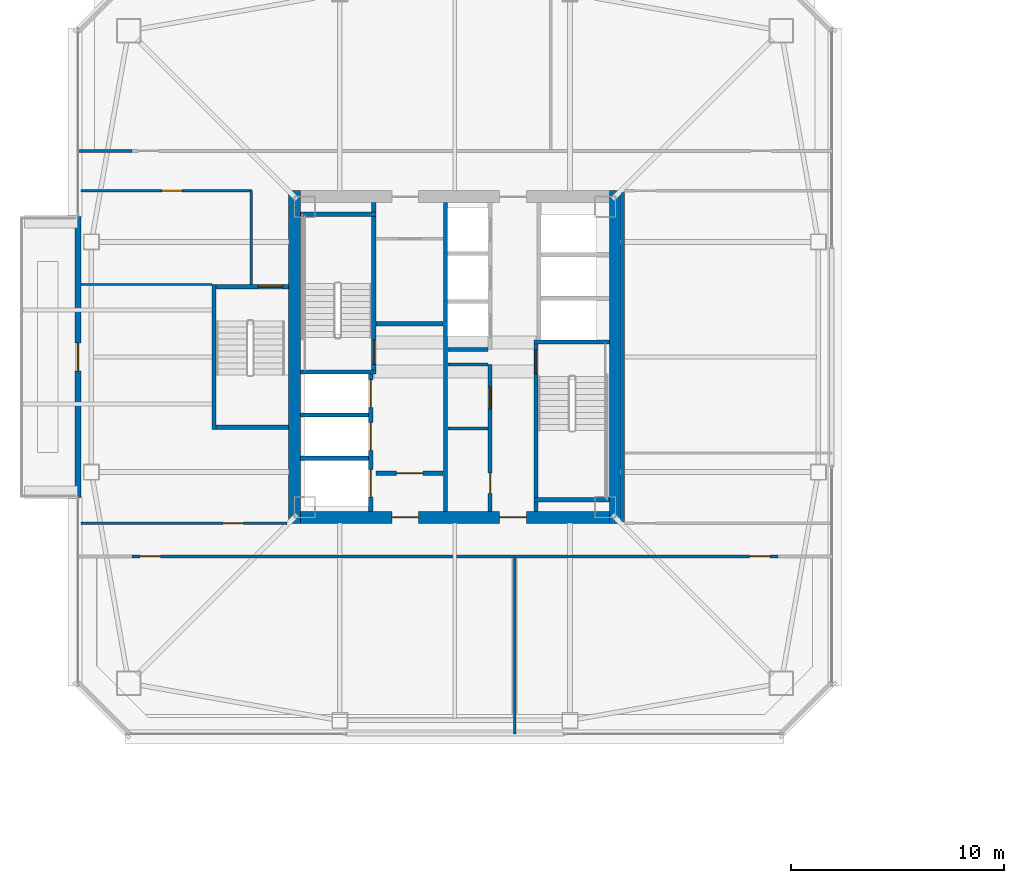
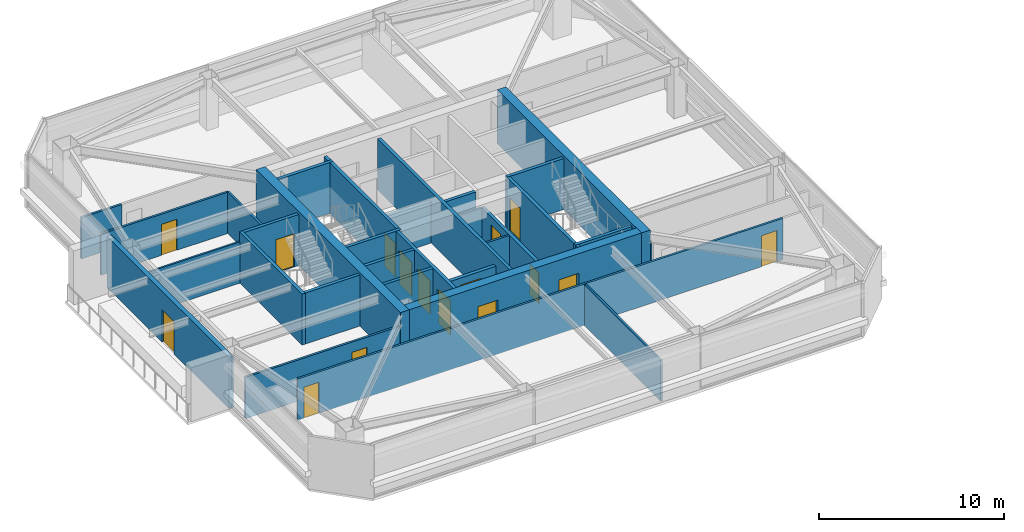
# One storey, part 31 of 41: 31 walls, 16 doors, 16 openings.
"""IFC4 building model written with IfcOpenShell, lengths in metres."""

from ifc_helpers import new_model, si_unit, direction, frame, frame_2d, origin, place, context, subcontext, project, spatial, rectangle, extrude, material, layer, layer_set, type_object, element, fill, save


model = new_model("IFC4")

# Units and contexts
model_context = context("Model", 3, precision=1e-05, world=origin(), true_north=direction((0.0, 1.0)))
body_context = subcontext(model_context, "Body", "Model", "MODEL_VIEW")
ifc_project = project(units=[si_unit("LENGTHUNIT", "METRE"), si_unit("AREAUNIT", "SQUARE_METRE"), si_unit("VOLUMEUNIT", "CUBIC_METRE"), si_unit("PLANEANGLEUNIT", "RADIAN"), si_unit("MASSUNIT", "GRAM", prefix="KILO")], contexts=[model_context])

# Site, building, storey
site_placement = place(None, origin())
site = spatial("IfcSite", under=ifc_project, at=site_placement, CompositionType="ELEMENT")
building_placement = place(site_placement, origin())
building = spatial("IfcBuilding", under=site, at=building_placement, Name="Tashvorn Skyway Center", CompositionType="ELEMENT")
storey_placement = place(building_placement, frame((0.0, 0.0, 192.5)))
storey = spatial("IfcBuildingStorey", under=building, at=storey_placement, Name="L52", CompositionType="ELEMENT", Elevation=192.5)

# Walls
ifc_material_1 = material(Name="Concrete C60/75", Category="concrete")
ifc_layer_1 = layer(ifc_material_1, 0.550048828125)
ifc_layer_set_1 = layer_set([ifc_layer_1], Name="Concrete C60/75")
wall_type_1 = type_object("IfcWallType", Name="WALL-CORE-550", PredefinedType="SHEAR", material=ifc_layer_set_1)
for number, where, z_axis, x_axis, name in (
    (1, (34.47509765625, 24.199951171875, 0.0), (0.0, 0.0, 1.0), (0.0, 1.0, 0.0), "Tower 1 L52 West Core Shear Wall"),
    (2, (49.52490234375, 39.800048828125, 0.0), (0.0, 0.0, 1.0), (0.0, -1.0, 0.0), "Tower 1 L52 East Core Shear Wall"),
):
    element("IfcWall", number, at=place(storey_placement, frame(where, z_axis=z_axis, x_axis=x_axis)), inside=storey, type_object=wall_type_1, Name=name, PredefinedType="SHEAR", context=body_context, shape_type="SweptSolid", body=[
        extrude(rectangle(XDim=15.60009765625, YDim=0.550048828125, at=frame_2d((7.800048828125, 0.0))), origin(), (0.0, 0.0, 1.0), 3.550048828125),
    ])

# Wall, openings, doors
wall_1_placement = place(storey_placement, frame((49.25, 24.47509765625, 0.0), z_axis=(0.0, 0.0, 1.0), x_axis=(-1.0, 0.0, 0.0)))
wall_1 = element("IfcWall", 3, at=wall_1_placement, inside=storey, type_object=wall_type_1, Name="Tower 1 L52 South Core Shear Wall", PredefinedType="SHEAR", context=body_context, shape_type="SweptSolid", body=[
    extrude(rectangle(XDim=14.5, YDim=0.550048828125, at=frame_2d((7.25, 0.0))), origin(), (0.0, 0.0, 1.0), 3.550048828125),
])
opening_1_placement = place(wall_1_placement, frame((8.949951171875, 0.0, 0.0)))
opening_1 = element("IfcOpeningElement", 4, at=opening_1_placement, cuts=wall_1, Name="Opening D-FFL-1250", PredefinedType="OPENING", context=body_context, shape_type="SweptSolid", body=[
    extrude(rectangle(XDim=1.25, YDim=2.25, at=frame_2d((0.625, 1.125))), frame((0.0, 0.284912109375, 0.0), z_axis=(0.0, -1.0, 0.0), x_axis=(1.0, 0.0, 0.0)), (0.0, 0.0, 1.0), 0.570068359375),
])
opening_2_placement = place(wall_1_placement, frame((3.89990234375, 0.0, 0.0)))
opening_2 = element("IfcOpeningElement", 5, at=opening_2_placement, cuts=wall_1, Name="Opening D-FFL-1250", PredefinedType="OPENING", context=body_context, shape_type="SweptSolid", body=[
    extrude(rectangle(XDim=1.25, YDim=2.25, at=frame_2d((0.625, 1.125))), frame((0.0, 0.284912109375, 0.0), z_axis=(0.0, -1.0, 0.0), x_axis=(1.0, 0.0, 0.0)), (0.0, 0.0, 1.0), 0.570068359375),
])
ifc_material_2 = material(Name="Hollow galvanized steel fire door assembly", Category="steel")
door_type_1 = type_object("IfcDoorType", Name="DOOR-FFL-1250", OperationType="NOTDEFINED", PredefinedType="DOOR", material=ifc_material_2)
door_1_placement = place(opening_1_placement, origin())
door_1 = element("IfcDoor", 6, at=door_1_placement, inside=storey, type_object=door_type_1, Name="Tower 1 L52 Core South Firefighting Exit Door", OperationType="SINGLE_SWING_LEFT", OverallHeight=2.25, OverallWidth=1.25, PredefinedType="DOOR", context=body_context, shape_type="SweptSolid", body=[
    extrude(rectangle(XDim=1.25, YDim=2.25, at=frame_2d((0.625, 1.125))), frame((0.0, 0.02490234375, 0.0), z_axis=(0.0, -1.0, 0.0), x_axis=(1.0, 0.0, 0.0)), (0.0, 0.0, 1.0), 0.050048828125),
])
fill(opening_1, door_1)
door_2_placement = place(opening_2_placement, origin())
door_2 = element("IfcDoor", 7, at=door_2_placement, inside=storey, type_object=door_type_1, Name="Tower 1 L52 Core South Lift Lobby Door", OperationType="SINGLE_SWING_RIGHT", OverallHeight=2.25, OverallWidth=1.25, PredefinedType="DOOR", context=body_context, shape_type="SweptSolid", body=[
    extrude(rectangle(XDim=1.25, YDim=2.25, at=frame_2d((0.625, 1.125))), frame((0.0, 0.02490234375, 0.0), z_axis=(0.0, -1.0, 0.0), x_axis=(1.0, 0.0, 0.0)), (0.0, 0.0, 1.0), 0.050048828125),
])
fill(opening_2, door_2)

# Wall, opening, door
ifc_material_3 = material(Name="Precast concrete C40/50", Category="concrete")
ifc_layer_2 = layer(ifc_material_3, 0.280029296875)
ifc_layer_set_2 = layer_set([ifc_layer_2], Name="Precast concrete C40/50")
wall_type_2 = type_object("IfcWallType", Name="WALL-EXT-280", PredefinedType="SOLIDWALL", material=ifc_layer_set_2)
wall_2_placement = place(storey_placement, frame((24.320068359375, 25.39990234375, 0.0), z_axis=(0.0, 0.0, 1.0), x_axis=(0.0, 1.0, 0.0)))
wall_2 = element("IfcWall", 8, at=wall_2_placement, inside=storey, type_object=wall_type_2, Name="Tower 1 L52 West Sky Garden Loggia Wall", PredefinedType="SOLIDWALL", context=body_context, shape_type="SweptSolid", body=[
    extrude(rectangle(XDim=13.2001953125, YDim=0.280029296875, at=frame_2d((6.60009765625, 0.0))), origin(), (0.0, 0.0, 1.0), 3.3701171875),
])
opening_3_placement = place(wall_2_placement, frame((5.949951171875, 0.0, 0.0)))
opening_3 = element("IfcOpeningElement", 9, at=opening_3_placement, cuts=wall_2, Name="Opening D-TER-1300", PredefinedType="OPENING", context=body_context, shape_type="SweptSolid", body=[
    extrude(rectangle(XDim=1.300048828125, YDim=2.14990234375, at=frame_2d((0.64990234375, 1.074951171875))), frame((0.0, 0.14990234375, 0.0), z_axis=(0.0, -1.0, 0.0), x_axis=(1.0, 0.0, 0.0)), (0.0, 0.0, 1.0), 0.300048828125),
])
ifc_material_4 = material(Name="Thermally broken bronze-anodized aluminium 6063-T6", Category="aluminium")
door_type_2 = type_object("IfcDoorType", Name="DOOR-TERR-1300", OperationType="NOTDEFINED", PredefinedType="DOOR", material=ifc_material_4)
door_3_placement = place(opening_3_placement, origin())
door_3 = element("IfcDoor", 10, at=door_3_placement, inside=storey, type_object=door_type_2, Name="Tower 1 L52 Sky Garden Access Door", OperationType="SINGLE_SWING_RIGHT", OverallHeight=2.14990234375, OverallWidth=1.300048828125, PredefinedType="DOOR", context=body_context, shape_type="SweptSolid", body=[
    extrude(rectangle(XDim=1.300048828125, YDim=2.14990234375, at=frame_2d((0.64990234375, 1.074951171875))), frame((0.0, 0.02490234375, 0.0), z_axis=(0.0, -1.0, 0.0), x_axis=(1.0, 0.0, 0.0)), (0.0, 0.0, 1.0), 0.050048828125),
])
fill(opening_3, door_3)

# Wall
ifc_material_5 = material(Name="Concrete C40/50", Category="concrete")
ifc_layer_3 = layer(ifc_material_5, 0.219970703125)
ifc_layer_set_3 = layer_set([ifc_layer_3], Name="Concrete C40/50")
wall_type_3 = type_object("IfcWallType", Name="WALL-FFL-220", PredefinedType="SOLIDWALL", material=ifc_layer_set_3)
wall_3_placement = place(storey_placement, frame((38.300048828125, 33.56005859375, 0.0), z_axis=(0.0, 0.0, 1.0), x_axis=(1.0, 0.0, 0.0)))
element("IfcWall", 11, at=wall_3_placement, inside=storey, type_object=wall_type_3, Name="Tower 1 L52 Firefighting Lobby North Wall", PredefinedType="SOLIDWALL", context=body_context, shape_type="SweptSolid", body=[
    extrude(rectangle(XDim=3.14990234375, YDim=0.219970703125, at=frame_2d((1.574951171875, 0.0))), origin(), (0.0, 0.0, 1.0), 2.722900390625),
])

# Wall, opening, door
wall_4_placement = place(storey_placement, frame((38.300048828125, 26.5400390625, 0.0), z_axis=(0.0, 0.0, 1.0), x_axis=(1.0, 0.0, 0.0)))
wall_4 = element("IfcWall", 12, at=wall_4_placement, inside=storey, type_object=wall_type_3, Name="Tower 1 L52 Firefighting Lobby South Wall", PredefinedType="SOLIDWALL", context=body_context, shape_type="SweptSolid", body=[
    extrude(rectangle(XDim=3.14990234375, YDim=0.219970703125, at=frame_2d((1.574951171875, 0.0))), origin(), (0.0, 0.0, 1.0), 2.722900390625),
])
opening_4_placement = place(wall_4_placement, frame((0.949951171875, 0.0, 0.0)))
opening_4 = element("IfcOpeningElement", 13, at=opening_4_placement, cuts=wall_4, Name="Opening D-FFL-1250", PredefinedType="OPENING", context=body_context, shape_type="SweptSolid", body=[
    extrude(rectangle(XDim=1.25, YDim=2.25, at=frame_2d((0.625, 1.125))), frame((0.0, 0.119873046875, 0.0), z_axis=(0.0, -1.0, 0.0), x_axis=(1.0, 0.0, 0.0)), (0.0, 0.0, 1.0), 0.239990234375),
])
door_4_placement = place(opening_4_placement, origin())
door_4 = element("IfcDoor", 14, at=door_4_placement, inside=storey, type_object=door_type_1, Name="Tower 1 L52 Firefighting Lobby Egress Door", OperationType="SINGLE_SWING_LEFT", OverallHeight=2.25, OverallWidth=1.25, PredefinedType="DOOR", context=body_context, shape_type="SweptSolid", body=[
    extrude(rectangle(XDim=1.25, YDim=2.25, at=frame_2d((0.625, 1.125))), frame((0.0, 0.02490234375, 0.0), z_axis=(0.0, -1.0, 0.0), x_axis=(1.0, 0.0, 0.0)), (0.0, 0.0, 1.0), 0.050048828125),
])
fill(opening_4, door_4)

# Walls
ifc_material_6 = material(Name="Gypsum board on cold-formed steel stud framing", Category="steel")
ifc_layer_4 = layer(ifc_material_6, 0.110107421875)
ifc_layer_set_4 = layer_set([ifc_layer_4], Name="Gypsum board on cold-formed steel stud framing")
wall_type_4 = type_object("IfcWallType", Name="WALL-PART-110", PredefinedType="PARTITIONING", material=ifc_layer_set_4)
wall_5_placement = place(storey_placement, frame((44.800048828125, 14.320068359375, 0.0), z_axis=(0.0, 0.0, 1.0), x_axis=(0.0, 1.0, 0.0)))
element("IfcWall", 15, at=wall_5_placement, inside=storey, type_object=wall_type_4, Name="Tower 1 L52 South Suite Partition 1", PredefinedType="PARTITIONING", context=body_context, shape_type="SweptSolid", body=[
    extrude(rectangle(XDim=8.25, YDim=0.110107421875, at=frame_2d((4.125, 0.0))), origin(), (0.0, 0.0, 1.0), 2.722900390625),
])
wall_6_placement = place(storey_placement, frame((30.60009765625, 35.39990234375, 0.0), z_axis=(0.0, 0.0, 1.0), x_axis=(-1.0, 0.0, 0.0)))
element("IfcWall", 16, at=wall_6_placement, inside=storey, type_object=wall_type_4, Name="Tower 1 L52 West Suite Partition 1", PredefinedType="PARTITIONING", context=body_context, shape_type="SweptSolid", body=[
    extrude(rectangle(XDim=6.130126953125, YDim=0.110107421875, at=frame_2d((3.06494140625, 0.0))), origin(), (0.0, 0.0, 1.0), 2.722900390625),
])
ifc_layer_5 = layer(ifc_material_6, 0.135009765625)
ifc_layer_set_5 = layer_set([ifc_layer_5], Name="Gypsum board on cold-formed steel stud framing")
wall_type_5 = type_object("IfcWallType", Name="WALL-PART-135", PredefinedType="PARTITIONING", material=ifc_layer_set_5)
wall_7_placement = place(storey_placement, frame((32.449951171875, 35.39990234375, 0.0), z_axis=(0.0, 0.0, 1.0), x_axis=(0.0, 1.0, 0.0)))
element("IfcWall", 17, at=wall_7_placement, inside=storey, type_object=wall_type_5, Name="Tower 1 L52 Stair 3 Access Corridor Wall", PredefinedType="PARTITIONING", context=body_context, shape_type="SweptSolid", body=[
    extrude(rectangle(XDim=4.400146484375, YDim=0.135009765625, at=frame_2d((2.2001953125, 0.0))), origin(), (0.0, 0.0, 1.0), 2.722900390625),
])
wall_8_placement = place(storey_placement, frame((24.320068359375, 41.669921875, 0.0), z_axis=(0.0, 0.0, 1.0), x_axis=(1.0, 0.0, 0.0)))
element("IfcWall", 18, at=wall_8_placement, inside=storey, type_object=wall_type_5, Name="Tower 1 L52 North-West Suite South Wall", PredefinedType="PARTITIONING", context=body_context, shape_type="SweptSolid", body=[
    extrude(rectangle(XDim=2.530029296875, YDim=0.135009765625, at=frame_2d((1.26513671875, 0.0))), origin(), (0.0, 0.0, 1.0), 2.722900390625),
])

# Wall, openings, doors
wall_9_placement = place(storey_placement, frame((57.14990234375, 22.64990234375, 0.0), z_axis=(0.0, 0.0, 1.0), x_axis=(-1.0, 0.0, 0.0)))
wall_9 = element("IfcWall", 19, at=wall_9_placement, inside=storey, type_object=wall_type_5, Name="Tower 1 L52 South Suite Wall", PredefinedType="PARTITIONING", context=body_context, shape_type="SweptSolid", body=[
    extrude(rectangle(XDim=30.2998046875, YDim=0.135009765625, at=frame_2d((15.14990234375, 0.0))), origin(), (0.0, 0.0, 1.0), 2.722900390625),
])
opening_5_placement = place(wall_9_placement, frame((28.969970703125, 0.0, 0.0)))
opening_5 = element("IfcOpeningElement", 20, at=opening_5_placement, cuts=wall_9, Name="Opening D-INT-950", PredefinedType="OPENING", context=body_context, shape_type="SweptSolid", body=[
    extrude(rectangle(XDim=0.949951171875, YDim=2.050048828125, at=frame_2d((0.47509765625, 1.02490234375))), frame((0.0, 0.077392578125, 0.0), z_axis=(0.0, -1.0, 0.0), x_axis=(1.0, 0.0, 0.0)), (0.0, 0.0, 1.0), 0.155029296875),
])
opening_6_placement = place(wall_9_placement, frame((0.3798828125, 0.0, 0.0)))
opening_6 = element("IfcOpeningElement", 21, at=opening_6_placement, cuts=wall_9, Name="Opening D-INT-950", PredefinedType="OPENING", context=body_context, shape_type="SweptSolid", body=[
    extrude(rectangle(XDim=0.949951171875, YDim=2.050048828125, at=frame_2d((0.47509765625, 1.02490234375))), frame((0.0, 0.077392578125, 0.0), z_axis=(0.0, -1.0, 0.0), x_axis=(1.0, 0.0, 0.0)), (0.0, 0.0, 1.0), 0.155029296875),
])
ifc_material_7 = material(Name="Solid-core architectural oak veneer door")
door_type_3 = type_object("IfcDoorType", Name="DOOR-INT-950", OperationType="NOTDEFINED", PredefinedType="DOOR", material=ifc_material_7)
door_5_placement = place(opening_5_placement, origin())
door_5 = element("IfcDoor", 22, at=door_5_placement, inside=storey, type_object=door_type_3, Name="Tower 1 L52 Wellness Clinic Door", OperationType="SINGLE_SWING_LEFT", OverallHeight=2.050048828125, OverallWidth=0.949951171875, PredefinedType="DOOR", context=body_context, shape_type="SweptSolid", body=[
    extrude(rectangle(XDim=0.949951171875, YDim=2.050048828125, at=frame_2d((0.47509765625, 1.02490234375))), frame((0.0, 0.02490234375, 0.0), z_axis=(0.0, -1.0, 0.0), x_axis=(1.0, 0.0, 0.0)), (0.0, 0.0, 1.0), 0.050048828125),
])
fill(opening_5, door_5)
door_6_placement = place(opening_6_placement, origin())
door_6 = element("IfcDoor", 23, at=door_6_placement, inside=storey, type_object=door_type_3, Name="Tower 1 L52 Reading Lounge Door", OperationType="SINGLE_SWING_RIGHT", OverallHeight=2.050048828125, OverallWidth=0.949951171875, PredefinedType="DOOR", context=body_context, shape_type="SweptSolid", body=[
    extrude(rectangle(XDim=0.949951171875, YDim=2.050048828125, at=frame_2d((0.47509765625, 1.02490234375))), frame((0.0, 0.02490234375, 0.0), z_axis=(0.0, -1.0, 0.0), x_axis=(1.0, 0.0, 0.0)), (0.0, 0.0, 1.0), 0.050048828125),
])
fill(opening_6, door_6)

# Wall
wall_10_placement = place(storey_placement, frame((49.8798828125, 39.719970703125, 0.0), z_axis=(0.0, 0.0, 1.0), x_axis=(0.0, -1.0, 0.0)))
element("IfcWall", 24, at=wall_10_placement, inside=storey, type_object=wall_type_5, Name="Tower 1 L52 East Inner Suite Wall", PredefinedType="PARTITIONING", context=body_context, shape_type="SweptSolid", body=[
    extrude(rectangle(XDim=15.43994140625, YDim=0.135009765625, at=frame_2d((7.719970703125, 0.0))), origin(), (0.0, 0.0, 1.0), 2.722900390625),
])

# Wall, opening, door
wall_11_placement = place(storey_placement, frame((32.449951171875, 39.800048828125, 0.0), z_axis=(0.0, 0.0, 1.0), x_axis=(-1.0, 0.0, 0.0)))
wall_11 = element("IfcWall", 25, at=wall_11_placement, inside=storey, type_object=wall_type_5, Name="Tower 1 L52 West Suite North Wall", PredefinedType="PARTITIONING", context=body_context, shape_type="SweptSolid", body=[
    extrude(rectangle(XDim=7.97998046875, YDim=0.135009765625, at=frame_2d((3.989990234375, 0.0))), origin(), (0.0, 0.0, 1.0), 2.722900390625),
])
opening_7_placement = place(wall_11_placement, frame((3.239990234375, 0.0, 0.0)))
opening_7 = element("IfcOpeningElement", 26, at=opening_7_placement, cuts=wall_11, Name="Opening D-INT-950", PredefinedType="OPENING", context=body_context, shape_type="SweptSolid", body=[
    extrude(rectangle(XDim=0.949951171875, YDim=2.050048828125, at=frame_2d((0.47509765625, 1.02490234375))), frame((0.0, 0.077392578125, 0.0), z_axis=(0.0, -1.0, 0.0), x_axis=(1.0, 0.0, 0.0)), (0.0, 0.0, 1.0), 0.155029296875),
])
door_7_placement = place(opening_7_placement, origin())
door_7 = element("IfcDoor", 27, at=door_7_placement, inside=storey, type_object=door_type_3, Name="Tower 1 L52 Corporate Office Door", OperationType="SINGLE_SWING_LEFT", OverallHeight=2.050048828125, OverallWidth=0.949951171875, PredefinedType="DOOR", context=body_context, shape_type="SweptSolid", body=[
    extrude(rectangle(XDim=0.949951171875, YDim=2.050048828125, at=frame_2d((0.47509765625, 1.02490234375))), frame((0.0, 0.02490234375, 0.0), z_axis=(0.0, -1.0, 0.0), x_axis=(1.0, 0.0, 0.0)), (0.0, 0.0, 1.0), 0.050048828125),
])
fill(opening_7, door_7)

wall_12_placement = place(storey_placement, frame((24.469970703125, 24.199951171875, 0.0), z_axis=(0.0, 0.0, 1.0), x_axis=(1.0, 0.0, 0.0)))
wall_12 = element("IfcWall", 28, at=wall_12_placement, inside=storey, type_object=wall_type_5, Name="Tower 1 L52 West Suite South Wall", PredefinedType="PARTITIONING", context=body_context, shape_type="SweptSolid", body=[
    extrude(rectangle(XDim=9.650146484375, YDim=0.135009765625, at=frame_2d((4.8251953125, 0.0))), origin(), (0.0, 0.0, 1.0), 2.722900390625),
])
opening_8_placement = place(wall_12_placement, frame((6.655029296875, 0.0, 0.0)))
opening_8 = element("IfcOpeningElement", 29, at=opening_8_placement, cuts=wall_12, Name="Opening D-INT-950", PredefinedType="OPENING", context=body_context, shape_type="SweptSolid", body=[
    extrude(rectangle(XDim=0.949951171875, YDim=2.050048828125, at=frame_2d((0.47509765625, 1.02490234375))), frame((0.0, 0.077392578125, 0.0), z_axis=(0.0, -1.0, 0.0), x_axis=(1.0, 0.0, 0.0)), (0.0, 0.0, 1.0), 0.155029296875),
])
door_8_placement = place(opening_8_placement, origin())
door_8 = element("IfcDoor", 30, at=door_8_placement, inside=storey, type_object=door_type_3, Name="Tower 1 L52 Public Restroom Door", OperationType="SINGLE_SWING_RIGHT", OverallHeight=2.050048828125, OverallWidth=0.949951171875, PredefinedType="DOOR", context=body_context, shape_type="SweptSolid", body=[
    extrude(rectangle(XDim=0.949951171875, YDim=2.050048828125, at=frame_2d((0.47509765625, 1.02490234375))), frame((0.0, 0.02490234375, 0.0), z_axis=(0.0, -1.0, 0.0), x_axis=(1.0, 0.0, 0.0)), (0.0, 0.0, 1.0), 0.050048828125),
])
fill(opening_8, door_8)

# Walls
ifc_layer_6 = layer(ifc_material_6, 0.135009765625)
ifc_layer_set_6 = layer_set([ifc_layer_6], Name="Gypsum board on cold-formed steel stud framing")
wall_type_6 = type_object("IfcWallType", Name="WALL-RATED-135", PredefinedType="PARTITIONING", material=ifc_layer_set_6)
for number, where, z_axis, x_axis, name in (
    (31, (41.669921875, 31.64990234375, 0.0), (0.0, 0.0, 1.0), (1.0, 0.0, 0.0), "Tower 1 L52 Core Room Partition"),
    (32, (41.669921875, 28.64990234375, 0.0), (0.0, 0.0, 1.0), (1.0, 0.0, 0.0), "Tower 1 L52 Freed Core Partition"),
):
    element("IfcWall", number, at=place(storey_placement, frame(where, z_axis=z_axis, x_axis=x_axis)), inside=storey, type_object=wall_type_6, Name=name, PredefinedType="PARTITIONING", context=body_context, shape_type="SweptSolid", body=[
        extrude(rectangle(XDim=1.880126953125, YDim=0.135009765625, at=frame_2d((0.93994140625, 0.0))), origin(), (0.0, 0.0, 1.0), 2.722900390625),
    ])
ifc_layer_7 = layer(ifc_material_5, 0.199951171875)
ifc_layer_set_7 = layer_set([ifc_layer_7], Name="Concrete C40/50")
wall_type_7 = type_object("IfcWallType", Name="WALL-SHAFT-200", PredefinedType="SOLIDWALL", material=ifc_layer_set_7)
for number, where, z_axis, x_axis, name in (
    (33, (34.75, 27.25, 0.0), (0.0, 0.0, 1.0), (1.0, 0.0, 0.0), "Tower 1 L52 FSAE Shaft Divider"),
    (34, (34.75, 29.280029296875, 0.0), (0.0, 0.0, 1.0), (1.0, 0.0, 0.0), "Tower 1 L52 FSAE Shaft Divider"),
):
    element("IfcWall", number, at=place(storey_placement, frame(where, z_axis=z_axis, x_axis=x_axis)), inside=storey, type_object=wall_type_7, Name=name, PredefinedType="SOLIDWALL", context=body_context, shape_type="SweptSolid", body=[
        extrude(rectangle(XDim=3.199951171875, YDim=0.199951171875, at=frame_2d((1.60009765625, 0.0))), origin(), (0.0, 0.0, 1.0), 3.3701171875),
    ])

# Wall, openings, doors
wall_13_placement = place(storey_placement, frame((43.64990234375, 24.75, 0.0), z_axis=(0.0, 0.0, 1.0), x_axis=(0.0, 1.0, 0.0)))
wall_13 = element("IfcWall", 35, at=wall_13_placement, inside=storey, type_object=wall_type_7, Name="Tower 1 L52 Low-Rise Core Wall", PredefinedType="SOLIDWALL", context=body_context, shape_type="SweptSolid", body=[
    extrude(rectangle(XDim=6.89990234375, YDim=0.199951171875, at=frame_2d((3.449951171875, 0.0))), origin(), (0.0, 0.0, 1.0), 2.722900390625),
])
opening_9_placement = place(wall_13_placement, frame((0.85009765625, 0.0, 0.0)))
opening_9 = element("IfcOpeningElement", 36, at=opening_9_placement, cuts=wall_13, Name="Opening D-RT-950", PredefinedType="OPENING", context=body_context, shape_type="SweptSolid", body=[
    extrude(rectangle(XDim=0.949951171875, YDim=2.050048828125, at=frame_2d((0.47509765625, 1.02490234375))), frame((0.0, 0.10986328125, 0.0), z_axis=(0.0, -1.0, 0.0), x_axis=(1.0, 0.0, 0.0)), (0.0, 0.0, 1.0), 0.219970703125),
])
opening_10_placement = place(wall_13_placement, frame((4.800048828125, 0.0, 0.0)))
opening_10 = element("IfcOpeningElement", 37, at=opening_10_placement, cuts=wall_13, Name="Opening D-RT-1050", PredefinedType="OPENING", context=body_context, shape_type="SweptSolid", body=[
    extrude(rectangle(XDim=1.050048828125, YDim=2.199951171875, at=frame_2d((0.52490234375, 1.10009765625))), frame((0.0, 0.10986328125, 0.0), z_axis=(0.0, -1.0, 0.0), x_axis=(1.0, 0.0, 0.0)), (0.0, 0.0, 1.0), 0.219970703125),
])
door_type_4 = type_object("IfcDoorType", Name="DOOR-RATED-1050", OperationType="NOTDEFINED", PredefinedType="DOOR", material=ifc_material_2)
door_9_placement = place(opening_10_placement, origin())
door_9 = element("IfcDoor", 38, at=door_9_placement, inside=storey, type_object=door_type_4, Name="Tower 1 L52 Freed Core Room Door", OperationType="SINGLE_SWING_RIGHT", OverallHeight=2.199951171875, OverallWidth=1.050048828125, PredefinedType="DOOR", context=body_context, shape_type="SweptSolid", body=[
    extrude(rectangle(XDim=1.050048828125, YDim=2.199951171875, at=frame_2d((0.52490234375, 1.10009765625))), frame((0.0, 0.02490234375, 0.0), z_axis=(0.0, -1.0, 0.0), x_axis=(1.0, 0.0, 0.0)), (0.0, 0.0, 1.0), 0.050048828125),
])
fill(opening_10, door_9)
door_type_5 = type_object("IfcDoorType", Name="DOOR-RATED-950", OperationType="NOTDEFINED", PredefinedType="DOOR", material=ifc_material_2)
door_10_placement = place(opening_9_placement, origin())
door_10 = element("IfcDoor", 39, at=door_10_placement, inside=storey, type_object=door_type_5, Name="Tower 1 L52 Core Print Room Door", OperationType="SINGLE_SWING_LEFT", OverallHeight=2.050048828125, OverallWidth=0.949951171875, PredefinedType="DOOR", context=body_context, shape_type="SweptSolid", body=[
    extrude(rectangle(XDim=0.949951171875, YDim=2.050048828125, at=frame_2d((0.47509765625, 1.02490234375))), frame((0.0, 0.02490234375, 0.0), z_axis=(0.0, -1.0, 0.0), x_axis=(1.0, 0.0, 0.0)), (0.0, 0.0, 1.0), 0.050048828125),
])
fill(opening_9, door_10)

# Wall
wall_14_placement = place(storey_placement, frame((41.669921875, 32.35009765625, 0.0), z_axis=(0.0, 0.0, 1.0), x_axis=(1.0, 0.0, 0.0)))
element("IfcWall", 40, at=wall_14_placement, inside=storey, type_object=wall_type_7, Name="Tower 1 L52 Mid-Rise Shaft Divider", PredefinedType="SOLIDWALL", context=body_context, shape_type="SweptSolid", body=[
    extrude(rectangle(XDim=1.880126953125, YDim=0.199951171875, at=frame_2d((0.93994140625, 0.0))), origin(), (0.0, 0.0, 1.0), 3.3701171875),
])

# Wall, opening, door
ifc_layer_8 = layer(ifc_material_5, 0.199951171875)
ifc_layer_set_8 = layer_set([ifc_layer_8], Name="Concrete C40/50")
wall_type_8 = type_object("IfcWallType", Name="WALL-STSHF-200", PredefinedType="SHEAR", material=ifc_layer_set_8)
wall_15_placement = place(storey_placement, frame((38.199951171875, 31.199951171875, 0.0), z_axis=(0.0, 0.0, 1.0), x_axis=(0.0, 1.0, 0.0)))
wall_15 = element("IfcWall", 41, at=wall_15_placement, inside=storey, type_object=wall_type_8, Name="Tower 1 L52 Stair 1 Enclosure Wall", PredefinedType="SHEAR", context=body_context, shape_type="SweptSolid", body=[
    extrude(rectangle(XDim=8.050048828125, YDim=0.199951171875, at=frame_2d((4.02490234375, 0.0))), origin(), (0.0, 0.0, 1.0), 3.3701171875),
])
opening_11_placement = place(wall_15_placement, frame((0.449951171875, 0.0, 0.0)))
opening_11 = element("IfcOpeningElement", 42, at=opening_11_placement, cuts=wall_15, Name="Opening D-ST-1150", PredefinedType="OPENING", context=body_context, shape_type="SweptSolid", body=[
    extrude(rectangle(XDim=1.14990234375, YDim=2.199951171875, at=frame_2d((0.574951171875, 1.10009765625))), frame((0.0, 0.10986328125, 0.0), z_axis=(0.0, -1.0, 0.0), x_axis=(1.0, 0.0, 0.0)), (0.0, 0.0, 1.0), 0.219970703125),
])
door_type_6 = type_object("IfcDoorType", Name="DOOR-STAIR-1150", OperationType="NOTDEFINED", PredefinedType="DOOR", material=ifc_material_2)
door_11_placement = place(opening_11_placement, origin())
door_11 = element("IfcDoor", 43, at=door_11_placement, inside=storey, type_object=door_type_6, Name="Tower 1 L52 Exit Stair 1 Door", OperationType="SINGLE_SWING_RIGHT", OverallHeight=2.199951171875, OverallWidth=1.14990234375, PredefinedType="DOOR", context=body_context, shape_type="SweptSolid", body=[
    extrude(rectangle(XDim=1.14990234375, YDim=2.199951171875, at=frame_2d((0.574951171875, 1.10009765625))), frame((0.0, 0.02490234375, 0.0), z_axis=(0.0, -1.0, 0.0), x_axis=(1.0, 0.0, 0.0)), (0.0, 0.0, 1.0), 0.050048828125),
])
fill(opening_11, door_11)

# Walls
for number, where, z_axis, x_axis, name in (
    (44, (34.75, 31.300048828125, 0.0), (0.0, 0.0, 1.0), (1.0, 0.0, 0.0), "Tower 1 L52 Stair 1 South Wall"),
    (45, (34.75, 38.699951171875, 0.0), (0.0, 0.0, 1.0), (1.0, 0.0, 0.0), "Tower 1 L52 Stair 1 North Wall"),
):
    element("IfcWall", number, at=place(storey_placement, frame(where, z_axis=z_axis, x_axis=x_axis)), inside=storey, type_object=wall_type_8, Name=name, PredefinedType="SHEAR", context=body_context, shape_type="SweptSolid", body=[
        extrude(rectangle(XDim=3.550048828125, YDim=0.199951171875, at=frame_2d((1.77490234375, 0.0))), origin(), (0.0, 0.0, 1.0), 3.3701171875),
    ])

# Wall, opening, door
wall_16_placement = place(storey_placement, frame((45.800048828125, 32.800048828125, 0.0), z_axis=(0.0, 0.0, 1.0), x_axis=(0.0, -1.0, 0.0)))
wall_16 = element("IfcWall", 46, at=wall_16_placement, inside=storey, type_object=wall_type_8, Name="Tower 1 L52 Stair 2 Enclosure Wall", PredefinedType="SHEAR", context=body_context, shape_type="SweptSolid", body=[
    extrude(rectangle(XDim=8.050048828125, YDim=0.199951171875, at=frame_2d((4.02490234375, 0.0))), origin(), (0.0, 0.0, 1.0), 3.3701171875),
])
opening_12_placement = place(wall_16_placement, frame((0.449951171875, 0.0, 0.0)))
opening_12 = element("IfcOpeningElement", 47, at=opening_12_placement, cuts=wall_16, Name="Opening D-ST-1150", PredefinedType="OPENING", context=body_context, shape_type="SweptSolid", body=[
    extrude(rectangle(XDim=1.14990234375, YDim=2.199951171875, at=frame_2d((0.574951171875, 1.10009765625))), frame((0.0, 0.10986328125, 0.0), z_axis=(0.0, -1.0, 0.0), x_axis=(1.0, 0.0, 0.0)), (0.0, 0.0, 1.0), 0.219970703125),
])
door_12_placement = place(opening_12_placement, origin())
door_12 = element("IfcDoor", 48, at=door_12_placement, inside=storey, type_object=door_type_6, Name="Tower 1 L52 Exit Stair 2 Door", OperationType="SINGLE_SWING_RIGHT", OverallHeight=2.199951171875, OverallWidth=1.14990234375, PredefinedType="DOOR", context=body_context, shape_type="SweptSolid", body=[
    extrude(rectangle(XDim=1.14990234375, YDim=2.199951171875, at=frame_2d((0.574951171875, 1.10009765625))), frame((0.0, 0.02490234375, 0.0), z_axis=(0.0, -1.0, 0.0), x_axis=(1.0, 0.0, 0.0)), (0.0, 0.0, 1.0), 0.050048828125),
])
fill(opening_12, door_12)

# Walls
for number, where, z_axis, x_axis, name in (
    (49, (45.699951171875, 32.699951171875, 0.0), (0.0, 0.0, 1.0), (1.0, 0.0, 0.0), "Tower 1 L52 Stair 2 North Wall"),
    (50, (45.699951171875, 25.300048828125, 0.0), (0.0, 0.0, 1.0), (1.0, 0.0, 0.0), "Tower 1 L52 Stair 2 South Wall"),
):
    element("IfcWall", number, at=place(storey_placement, frame(where, z_axis=z_axis, x_axis=x_axis)), inside=storey, type_object=wall_type_8, Name=name, PredefinedType="SHEAR", context=body_context, shape_type="SweptSolid", body=[
        extrude(rectangle(XDim=3.550048828125, YDim=0.199951171875, at=frame_2d((1.77490234375, 0.0))), origin(), (0.0, 0.0, 1.0), 3.3701171875),
    ])
wall_17_placement = place(storey_placement, frame((41.56005859375, 24.75, 0.0), z_axis=(0.0, 0.0, 1.0), x_axis=(0.0, 1.0, 0.0)))
element("IfcWall", 51, at=wall_17_placement, inside=storey, type_object=wall_type_8, Name="Tower 1 L52 Firefighting Lobby East Smoke Barrier", PredefinedType="SHEAR", context=body_context, shape_type="SweptSolid", body=[
    extrude(rectangle(XDim=14.5, YDim=0.199951171875, at=frame_2d((7.25, 0.0))), origin(), (0.0, 0.0, 1.0), 3.3701171875),
])

# Wall, openings, doors
wall_18_placement = place(storey_placement, frame((38.050048828125, 24.75, 0.0), z_axis=(0.0, 0.0, 1.0), x_axis=(0.0, 1.0, 0.0)))
wall_18 = element("IfcWall", 52, at=wall_18_placement, inside=storey, type_object=wall_type_8, Name="Tower 1 L52 FSAE and Goods Shaft Front Wall", PredefinedType="SHEAR", context=body_context, shape_type="SweptSolid", body=[
    extrude(rectangle(XDim=6.449951171875, YDim=0.199951171875, at=frame_2d((3.22509765625, 0.0))), origin(), (0.0, 0.0, 1.0), 3.3701171875),
])
opening_13_placement = place(wall_18_placement, frame((4.875, 0.0, 0.0)))
opening_13 = element("IfcOpeningElement", 53, at=opening_13_placement, cuts=wall_18, Name="Opening LD-FF-T1-1-L52", PredefinedType="OPENING", context=body_context, shape_type="SweptSolid", body=[
    extrude(rectangle(XDim=1.300048828125, YDim=2.25, at=frame_2d((0.64990234375, 1.125))), frame((0.0, 0.10986328125, 0.0), z_axis=(0.0, -1.0, 0.0), x_axis=(1.0, 0.0, 0.0)), (0.0, 0.0, 1.0), 0.219970703125),
])
opening_14_placement = place(wall_18_placement, frame((2.875, 0.0, 0.0)))
opening_14 = element("IfcOpeningElement", 54, at=opening_14_placement, cuts=wall_18, Name="Opening LD-FF-T1-2-L52", PredefinedType="OPENING", context=body_context, shape_type="SweptSolid", body=[
    extrude(rectangle(XDim=1.300048828125, YDim=2.25, at=frame_2d((0.64990234375, 1.125))), frame((0.0, 0.10986328125, 0.0), z_axis=(0.0, -1.0, 0.0), x_axis=(1.0, 0.0, 0.0)), (0.0, 0.0, 1.0), 0.219970703125),
])
opening_15_placement = place(wall_18_placement, frame((0.675048828125, 0.0, 0.0)))
opening_15 = element("IfcOpeningElement", 55, at=opening_15_placement, cuts=wall_18, Name="Opening LD-GD-T1-1-L52", PredefinedType="OPENING", context=body_context, shape_type="SweptSolid", body=[
    extrude(rectangle(XDim=1.300048828125, YDim=2.25, at=frame_2d((0.64990234375, 1.125))), frame((0.0, 0.10986328125, 0.0), z_axis=(0.0, -1.0, 0.0), x_axis=(1.0, 0.0, 0.0)), (0.0, 0.0, 1.0), 0.219970703125),
])
ifc_material_8 = material(Name="Stainless steel heavy-duty landing door", Category="steel")
door_type_7 = type_object("IfcDoorType", Name="DOOR-LIFT-1300", OperationType="SLIDING_TO_LEFT", PredefinedType="DOOR", material=ifc_material_8)
door_13_placement = place(opening_13_placement, origin())
door_13 = element("IfcDoor", 56, at=door_13_placement, inside=storey, type_object=door_type_7, Name="Lift FF-T1-1 L52 Landing Door", OperationType="SLIDING_TO_LEFT", OverallHeight=2.25, OverallWidth=1.300048828125, PredefinedType="DOOR", context=body_context, shape_type="SweptSolid", body=[
    extrude(rectangle(XDim=1.300048828125, YDim=2.25, at=frame_2d((0.64990234375, 1.125))), frame((0.0, 0.02490234375, 0.0), z_axis=(0.0, -1.0, 0.0), x_axis=(1.0, 0.0, 0.0)), (0.0, 0.0, 1.0), 0.050048828125),
])
fill(opening_13, door_13)
door_14_placement = place(opening_14_placement, origin())
door_14 = element("IfcDoor", 57, at=door_14_placement, inside=storey, type_object=door_type_7, Name="Lift FF-T1-2 L52 Landing Door", OperationType="SLIDING_TO_LEFT", OverallHeight=2.25, OverallWidth=1.300048828125, PredefinedType="DOOR", context=body_context, shape_type="SweptSolid", body=[
    extrude(rectangle(XDim=1.300048828125, YDim=2.25, at=frame_2d((0.64990234375, 1.125))), frame((0.0, 0.02490234375, 0.0), z_axis=(0.0, -1.0, 0.0), x_axis=(1.0, 0.0, 0.0)), (0.0, 0.0, 1.0), 0.050048828125),
])
fill(opening_14, door_14)
door_15_placement = place(opening_15_placement, origin())
door_15 = element("IfcDoor", 58, at=door_15_placement, inside=storey, type_object=door_type_7, Name="Lift GD-T1-1 L52 Landing Door", OperationType="SLIDING_TO_LEFT", OverallHeight=2.25, OverallWidth=1.300048828125, PredefinedType="DOOR", context=body_context, shape_type="SweptSolid", body=[
    extrude(rectangle(XDim=1.300048828125, YDim=2.25, at=frame_2d((0.64990234375, 1.125))), frame((0.0, 0.02490234375, 0.0), z_axis=(0.0, -1.0, 0.0), x_axis=(1.0, 0.0, 0.0)), (0.0, 0.0, 1.0), 0.050048828125),
])
fill(opening_15, door_15)

# Wall
wall_19_placement = place(storey_placement, frame((30.699951171875, 28.60009765625, 0.0), z_axis=(0.0, 0.0, 1.0), x_axis=(0.0, 1.0, 0.0)))
element("IfcWall", 59, at=wall_19_placement, inside=storey, type_object=wall_type_8, Name="Tower 1 L52 Stair 3 Outer Wall", PredefinedType="SHEAR", context=body_context, shape_type="SweptSolid", body=[
    extrude(rectangle(XDim=6.7998046875, YDim=0.199951171875, at=frame_2d((3.39990234375, 0.0))), origin(), (0.0, 0.0, 1.0), 3.3701171875),
])

# Wall, opening, door
wall_20_placement = place(storey_placement, frame((34.199951171875, 35.300048828125, 0.0), z_axis=(0.0, 0.0, 1.0), x_axis=(-1.0, 0.0, 0.0)))
wall_20 = element("IfcWall", 60, at=wall_20_placement, inside=storey, type_object=wall_type_8, Name="Tower 1 L52 Stair 3 Enclosure Wall", PredefinedType="SHEAR", context=body_context, shape_type="SweptSolid", body=[
    extrude(rectangle(XDim=3.39990234375, YDim=0.199951171875, at=frame_2d((1.699951171875, 0.0))), origin(), (0.0, 0.0, 1.0), 3.3701171875),
])
opening_16_placement = place(wall_20_placement, frame((0.27490234375, 0.0, 0.0)))
opening_16 = element("IfcOpeningElement", 61, at=opening_16_placement, cuts=wall_20, Name="Opening D-ST-1150", PredefinedType="OPENING", context=body_context, shape_type="SweptSolid", body=[
    extrude(rectangle(XDim=1.14990234375, YDim=2.199951171875, at=frame_2d((0.574951171875, 1.10009765625))), frame((0.0, 0.10986328125, 0.0), z_axis=(0.0, -1.0, 0.0), x_axis=(1.0, 0.0, 0.0)), (0.0, 0.0, 1.0), 0.219970703125),
])
door_16_placement = place(opening_16_placement, origin())
door_16 = element("IfcDoor", 62, at=door_16_placement, inside=storey, type_object=door_type_6, Name="Tower 1 L52 Exit Stair 3 Door", OperationType="SINGLE_SWING_RIGHT", OverallHeight=2.199951171875, OverallWidth=1.14990234375, PredefinedType="DOOR", context=body_context, shape_type="SweptSolid", body=[
    extrude(rectangle(XDim=1.14990234375, YDim=2.199951171875, at=frame_2d((0.574951171875, 1.10009765625))), frame((0.0, 0.02490234375, 0.0), z_axis=(0.0, -1.0, 0.0), x_axis=(1.0, 0.0, 0.0)), (0.0, 0.0, 1.0), 0.050048828125),
])
fill(opening_16, door_16)

# Wall
wall_21_placement = place(storey_placement, frame((30.800048828125, 28.699951171875, 0.0), z_axis=(0.0, 0.0, 1.0), x_axis=(1.0, 0.0, 0.0)))
element("IfcWall", 63, at=wall_21_placement, inside=storey, type_object=wall_type_8, Name="Tower 1 L52 Stair 3 South Wall", PredefinedType="SHEAR", context=body_context, shape_type="SweptSolid", body=[
    extrude(rectangle(XDim=3.39990234375, YDim=0.199951171875, at=frame_2d((1.699951171875, 0.0))), origin(), (0.0, 0.0, 1.0), 3.3701171875),
])

save(model, "model.ifc")
